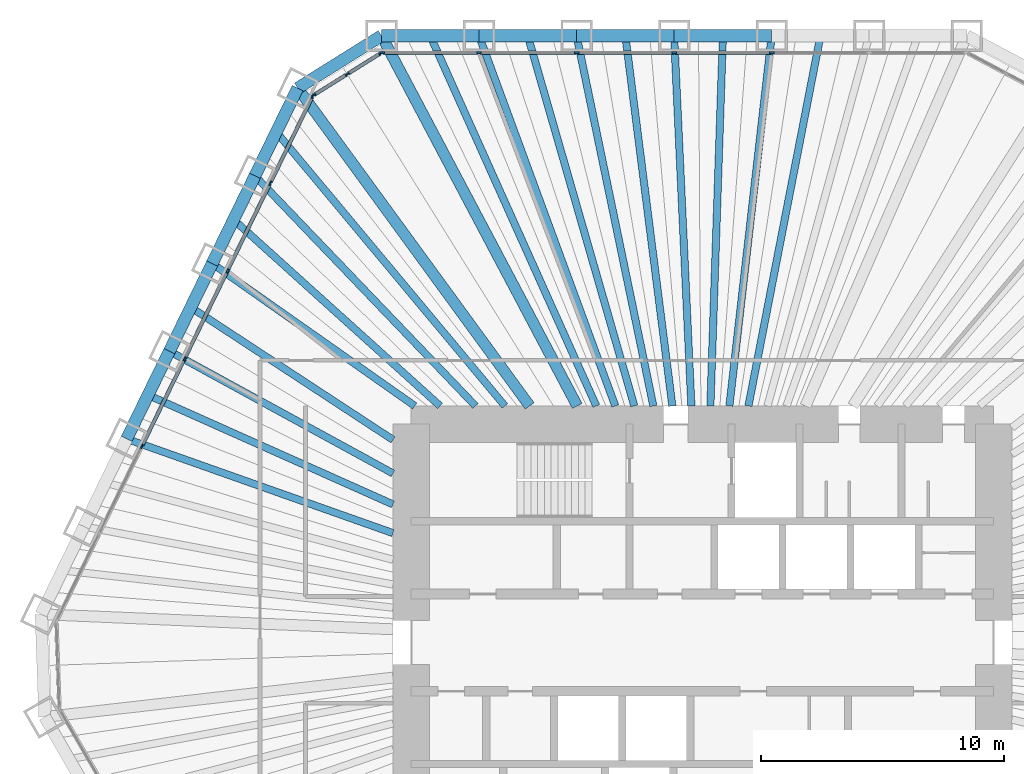
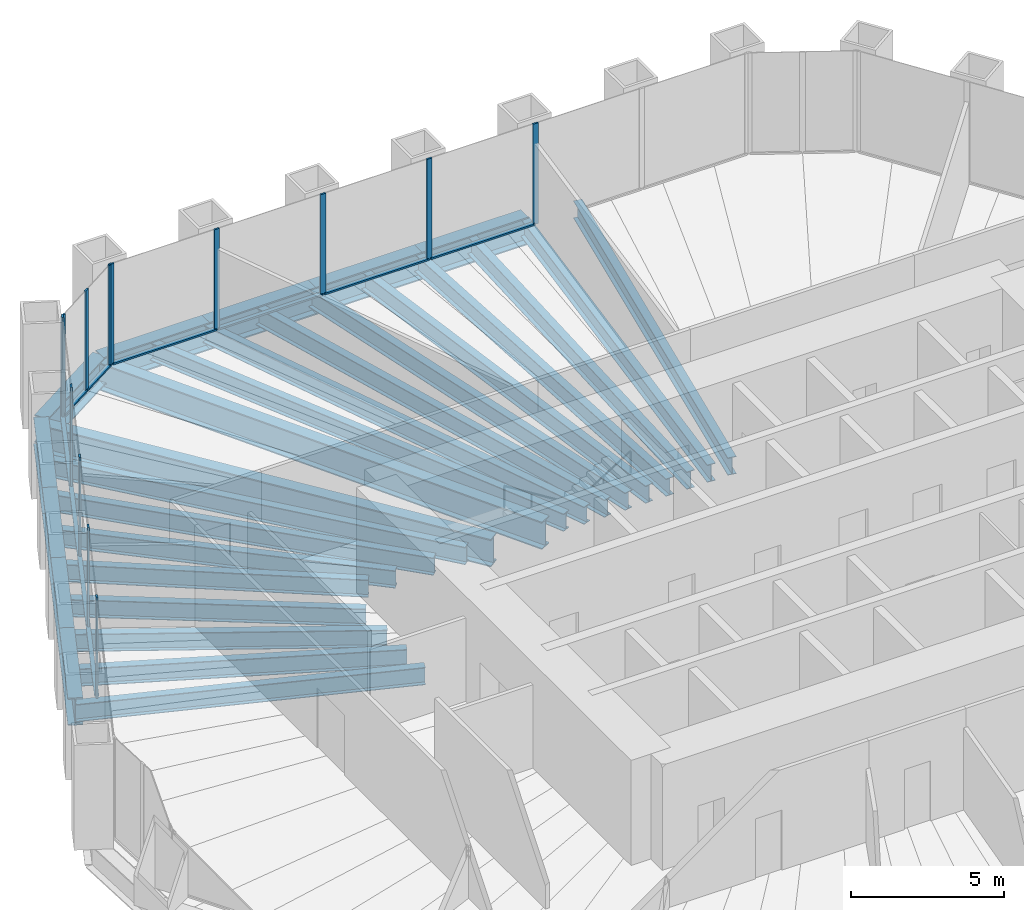
# One storey, part 6 of 13: 28 beams, 23 members, 3 elements without a shape of their own.
"""IFC4 building model written with IfcOpenShell, lengths in metres."""

from ifc_helpers import new_model, si_unit, direction, frame, origin, origin_2d, place, context, subcontext, project, spatial, rectangle, i_section, extrude, material, material_profile, profile_set, type_object, element, aggregate, save


model = new_model("IFC4")

# Units and contexts
model_context = context("Model", 3, precision=1e-05, world=origin(), true_north=direction((0.0, 1.0)))
body_context = subcontext(model_context, "Body", "Model", "MODEL_VIEW")
ifc_project = project(units=[si_unit("LENGTHUNIT", "METRE"), si_unit("AREAUNIT", "SQUARE_METRE"), si_unit("VOLUMEUNIT", "CUBIC_METRE"), si_unit("PLANEANGLEUNIT", "RADIAN"), si_unit("MASSUNIT", "GRAM", prefix="KILO")], contexts=[model_context])

# Site, building, storey
site_placement = place(None, origin())
site = spatial("IfcSite", under=ifc_project, at=site_placement, CompositionType="ELEMENT")
building_placement = place(site_placement, origin())
building = spatial("IfcBuilding", under=site, at=building_placement, Name="Qingtian Harvest Tower", CompositionType="ELEMENT")
storey_placement = place(building_placement, frame((0.0, 0.0, 161.800048828125)))
storey = spatial("IfcBuildingStorey", under=building, at=storey_placement, Name="L34", CompositionType="ELEMENT", Elevation=161.800048828125)

# Beams
ifc_material_1 = material(Name="Steel SM570MC", Category="steel")
ifc_material_profile_1 = material_profile(ifc_material_1, i_section(OverallWidth=0.449951171875, OverallDepth=1.10009765625, WebThickness=0.02197265625, FlangeThickness=0.044921875, at=origin_2d()), Name="H1100x450x22x45")
ifc_profile_set_1 = profile_set([ifc_material_profile_1], Name="Steel SM570MC")
beam_type_1 = type_object("IfcBeamType", Name="Corner floor beam FB8 H1100x450x22x45", PredefinedType="BEAM", material=ifc_profile_set_1)
beam_1_placement = place(storey_placement, frame((-13.2216796875, 25.0, -0.719970703125), z_axis=(0.46750989692, -0.88398783718, 0.0), x_axis=(0.88398783718, 0.46750989692, 0.0)))
element("IfcBeam", 1, at=beam_1_placement, inside=storey, type_object=beam_type_1, Name="Floor beam FB8 N0", PredefinedType="BEAM", context=body_context, shape_type="SweptSolid", body=[
    extrude(i_section(OverallWidth=0.449951171875, OverallDepth=1.10009765625, WebThickness=0.02197265625, FlangeThickness=0.044921875, at=origin_2d()), origin(), (0.0, 0.0, 1.0), 17.25146484375),
])
beam_2_placement = place(storey_placement, frame((-16.673828125, 22.8427734375, -0.719970703125), z_axis=(0.589577703364, -0.807711663712, 0.0), x_axis=(0.807711663712, 0.589577703364, 0.0)))
element("IfcBeam", 2, at=beam_2_placement, inside=storey, type_object=beam_type_1, Name="Floor beam FB8 NW6", PredefinedType="BEAM", context=body_context, shape_type="SweptSolid", body=[
    extrude(i_section(OverallWidth=0.449951171875, OverallDepth=1.10009765625, WebThickness=0.02197265625, FlangeThickness=0.044921875, at=origin_2d()), origin(), (0.0, 0.0, 1.0), 16.209716796875),
])
ifc_material_2 = material(Name="Steel SN490B", Category="steel")
ifc_material_profile_2 = material_profile(ifc_material_2, i_section(OverallWidth=0.300048828125, OverallDepth=0.699951171875, WebThickness=0.012939453125, FlangeThickness=0.02392578125, at=origin_2d()), Name="H700x300x13x24")
ifc_profile_set_2 = profile_set([ifc_material_profile_2], Name="Steel SN490B")
beam_type_2 = type_object("IfcBeamType", Name="Floor beam FB2 H700x300x13x24", PredefinedType="BEAM", material=ifc_profile_set_2)
beam_3_placement = place(storey_placement, frame((-9.20263671875, 25.0, -0.52001953125), z_axis=(0.345440084985, -0.938440806703, 0.0), x_axis=(0.938440806703, 0.345440084985, 0.0)))
element("IfcBeam", 3, at=beam_3_placement, inside=storey, type_object=beam_type_2, Name="Floor beam FB2 N1", PredefinedType="BEAM", context=body_context, shape_type="SweptSolid", body=[
    extrude(i_section(OverallWidth=0.300048828125, OverallDepth=0.699951171875, WebThickness=0.012939453125, FlangeThickness=0.02392578125, at=origin_2d()), origin(), (0.0, 0.0, 1.0), 16.250244140625),
])
beam_4_placement = place(storey_placement, frame((-5.18359375, 25.0, -0.52001953125), z_axis=(0.203032709566, -0.979171955709, 0.0), x_axis=(0.979171955709, 0.203032709566, 0.0)))
element("IfcBeam", 4, at=beam_4_placement, inside=storey, type_object=beam_type_2, Name="Floor beam FB2 N2", PredefinedType="BEAM", context=body_context, shape_type="SweptSolid", body=[
    extrude(i_section(OverallWidth=0.300048828125, OverallDepth=0.699951171875, WebThickness=0.012939453125, FlangeThickness=0.02392578125, at=origin_2d()), origin(), (0.0, 0.0, 1.0), 15.574462890625),
])
beam_5_placement = place(storey_placement, frame((-1.16455078125, 25.0, -0.52001953125), z_axis=(0.046536361684, -0.998916596639, 0.0), x_axis=(0.998916596639, 0.046536361684, 0.0)))
element("IfcBeam", 5, at=beam_5_placement, inside=storey, type_object=beam_type_2, Name="Floor beam FB2 N3", PredefinedType="BEAM", context=body_context, shape_type="SweptSolid", body=[
    extrude(i_section(OverallWidth=0.300048828125, OverallDepth=0.699951171875, WebThickness=0.012939453125, FlangeThickness=0.02392578125, at=origin_2d()), origin(), (0.0, 0.0, 1.0), 15.2666015625),
])
beam_6_placement = place(storey_placement, frame((2.8544921875, 25.0, -0.52001953125), z_axis=(-0.113440722222, -0.993544766249, 0.0), x_axis=(0.993544766249, -0.113440722222, 0.0)))
element("IfcBeam", 6, at=beam_6_placement, inside=storey, type_object=beam_type_2, Name="Floor beam FB2 N4", PredefinedType="BEAM", context=body_context, shape_type="SweptSolid", body=[
    extrude(i_section(OverallWidth=0.300048828125, OverallDepth=0.699951171875, WebThickness=0.012939453125, FlangeThickness=0.02392578125, at=origin_2d()), origin(), (0.0, 0.0, 1.0), 15.34912109375),
])
beam_7_placement = place(storey_placement, frame((-23.72119140625, 8.3935546875, -0.52001953125), z_axis=(0.942723186419, -0.333576068967, 0.0), x_axis=(0.333576068967, 0.942723186419, 0.0)))
element("IfcBeam", 7, at=beam_7_placement, inside=storey, type_object=beam_type_2, Name="Floor beam FB2 NW2", PredefinedType="BEAM", context=body_context, shape_type="SweptSolid", body=[
    extrude(i_section(OverallWidth=0.300048828125, OverallDepth=0.699951171875, WebThickness=0.012939453125, FlangeThickness=0.02392578125, at=origin_2d()), origin(), (0.0, 0.0, 1.0), 11.6376953125),
])
beam_8_placement = place(storey_placement, frame((-21.95947265625, 12.005859375, -0.52001953125), z_axis=(0.877432026785, -0.479700988505, 0.0), x_axis=(0.479700988505, 0.877432026785, 0.0)))
element("IfcBeam", 8, at=beam_8_placement, inside=storey, type_object=beam_type_2, Name="Floor beam FB2 NW3", PredefinedType="BEAM", context=body_context, shape_type="SweptSolid", body=[
    extrude(i_section(OverallWidth=0.300048828125, OverallDepth=0.699951171875, WebThickness=0.012939453125, FlangeThickness=0.02392578125, at=origin_2d()), origin(), (0.0, 0.0, 1.0), 10.495849609375),
])
beam_9_placement = place(storey_placement, frame((-20.197509765625, 15.6181640625, -0.52001953125), z_axis=(0.818080343043, -0.57510394915, 0.0), x_axis=(0.57510394915, 0.818080343043, 0.0)))
element("IfcBeam", 9, at=beam_9_placement, inside=storey, type_object=beam_type_2, Name="Floor beam FB2 NW4", PredefinedType="BEAM", context=body_context, shape_type="SweptSolid", body=[
    extrude(i_section(OverallWidth=0.300048828125, OverallDepth=0.699951171875, WebThickness=0.012939453125, FlangeThickness=0.02392578125, at=origin_2d()), origin(), (0.0, 0.0, 1.0), 10.20361328125),
])
beam_10_placement = place(storey_placement, frame((-18.435791015625, 19.23046875, -0.52001953125), z_axis=(0.69204101057, -0.721858185303, 0.0), x_axis=(0.721858185303, 0.69204101057, 0.0)))
element("IfcBeam", 10, at=beam_10_placement, inside=storey, type_object=beam_type_2, Name="Floor beam FB2 NW5", PredefinedType="BEAM", context=body_context, shape_type="SweptSolid", body=[
    extrude(i_section(OverallWidth=0.300048828125, OverallDepth=0.699951171875, WebThickness=0.012939453125, FlangeThickness=0.02392578125, at=origin_2d()), origin(), (0.0, 0.0, 1.0), 13.13330078125),
])
ifc_material_3 = material(Name="Steel SN490B", Category="steel")
ifc_material_profile_3 = material_profile(ifc_material_3, i_section(OverallWidth=0.300048828125, OverallDepth=0.699951171875, WebThickness=0.012939453125, FlangeThickness=0.02392578125, at=origin_2d()), Name="H700x300x13x24")
ifc_profile_set_3 = profile_set([ifc_material_profile_3], Name="Steel SN490B")
beam_type_3 = type_object("IfcBeamType", Name="Floor joist J2 H700x300x13x24", PredefinedType="JOIST", material=ifc_profile_set_3)
beam_11_placement = place(storey_placement, frame((-11.212158203125, 25.0, -0.52001953125), z_axis=(0.409212761683, -0.912438992852, 0.0), x_axis=(0.912438992852, 0.409212761683, 0.0)))
element("IfcBeam", 11, at=beam_11_placement, inside=storey, type_object=beam_type_3, Name="Floor joist J2 N0", PredefinedType="JOIST", context=body_context, shape_type="SweptSolid", body=[
    extrude(i_section(OverallWidth=0.300048828125, OverallDepth=0.699951171875, WebThickness=0.012939453125, FlangeThickness=0.02392578125, at=origin_2d()), origin(), (0.0, 0.0, 1.0), 16.71337890625),
])
beam_12_placement = place(storey_placement, frame((-7.193115234375, 25.0, -0.52001953125), z_axis=(0.276500682027, -0.961013721462, 0.0), x_axis=(0.961013721462, 0.276500682027, 0.0)))
element("IfcBeam", 12, at=beam_12_placement, inside=storey, type_object=beam_type_3, Name="Floor joist J2 N1", PredefinedType="JOIST", context=body_context, shape_type="SweptSolid", body=[
    extrude(i_section(OverallWidth=0.300048828125, OverallDepth=0.699951171875, WebThickness=0.012939453125, FlangeThickness=0.02392578125, at=origin_2d()), origin(), (0.0, 0.0, 1.0), 15.86865234375),
])
beam_13_placement = place(storey_placement, frame((-3.174072265625, 25.0, -0.52001953125), z_axis=(0.125957899702, -0.992035587821, 0.0), x_axis=(0.992035587821, 0.125957899702, 0.0)))
element("IfcBeam", 13, at=beam_13_placement, inside=storey, type_object=beam_type_3, Name="Floor joist J2 N2", PredefinedType="JOIST", context=body_context, shape_type="SweptSolid", body=[
    extrude(i_section(OverallWidth=0.300048828125, OverallDepth=0.699951171875, WebThickness=0.012939453125, FlangeThickness=0.02392578125, at=origin_2d()), origin(), (0.0, 0.0, 1.0), 15.372314453125),
])
beam_14_placement = place(storey_placement, frame((0.844970703125, 25.0, -0.52001953125), z_axis=(-0.033776183237, -0.999429421943, 0.0), x_axis=(0.999429421943, -0.033776183237, 0.0)))
element("IfcBeam", 14, at=beam_14_placement, inside=storey, type_object=beam_type_3, Name="Floor joist J2 N3", PredefinedType="JOIST", context=body_context, shape_type="SweptSolid", body=[
    extrude(i_section(OverallWidth=0.300048828125, OverallDepth=0.699951171875, WebThickness=0.012939453125, FlangeThickness=0.02392578125, at=origin_2d()), origin(), (0.0, 0.0, 1.0), 15.2587890625),
])
beam_15_placement = place(storey_placement, frame((4.864013671875, 25.0, -0.52001953125), z_axis=(-0.190979017217, -0.981594119269, 0.0), x_axis=(0.981594119269, -0.190979017217, 0.0)))
element("IfcBeam", 15, at=beam_15_placement, inside=storey, type_object=beam_type_3, Name="Floor joist J2 N4", PredefinedType="JOIST", context=body_context, shape_type="SweptSolid", body=[
    extrude(i_section(OverallWidth=0.300048828125, OverallDepth=0.699951171875, WebThickness=0.012939453125, FlangeThickness=0.02392578125, at=origin_2d()), origin(), (0.0, 0.0, 1.0), 15.535888671875),
])
beam_16_placement = place(storey_placement, frame((-22.84033203125, 10.19970703125, -0.52001953125), z_axis=(0.913095877166, -0.407744919162, 0.0), x_axis=(0.407744919162, 0.913095877166, 0.0)))
element("IfcBeam", 16, at=beam_16_placement, inside=storey, type_object=beam_type_3, Name="Floor joist J2 NW2", PredefinedType="JOIST", context=body_context, shape_type="SweptSolid", body=[
    extrude(i_section(OverallWidth=0.300048828125, OverallDepth=0.699951171875, WebThickness=0.012939453125, FlangeThickness=0.02392578125, at=origin_2d()), origin(), (0.0, 0.0, 1.0), 11.05078125),
])
beam_17_placement = place(storey_placement, frame((-21.078369140625, 13.81201171875, -0.52001953125), z_axis=(0.836426246046, -0.548079496903, 0.0), x_axis=(0.548079496903, 0.836426246046, 0.0)))
element("IfcBeam", 17, at=beam_17_placement, inside=storey, type_object=beam_type_3, Name="Floor joist J2 NW3", PredefinedType="JOIST", context=body_context, shape_type="SweptSolid", body=[
    extrude(i_section(OverallWidth=0.300048828125, OverallDepth=0.699951171875, WebThickness=0.012939453125, FlangeThickness=0.02392578125, at=origin_2d()), origin(), (0.0, 0.0, 1.0), 9.95703125),
])
beam_18_placement = place(storey_placement, frame((-19.316650390625, 17.42431640625, -0.52001953125), z_axis=(0.742543540775, -0.669797797886, 0.0), x_axis=(0.669797797886, 0.742543540775, 0.0)))
element("IfcBeam", 18, at=beam_18_placement, inside=storey, type_object=beam_type_3, Name="Floor joist J2 NW4", PredefinedType="JOIST", context=body_context, shape_type="SweptSolid", body=[
    extrude(i_section(OverallWidth=0.300048828125, OverallDepth=0.699951171875, WebThickness=0.012939453125, FlangeThickness=0.02392578125, at=origin_2d()), origin(), (0.0, 0.0, 1.0), 11.457763671875),
])
beam_19_placement = place(storey_placement, frame((-17.5546875, 21.03662109375, -0.52001953125), z_axis=(0.640703730007, -0.767788206704, 0.0), x_axis=(0.767788206704, 0.640703730007, 0.0)))
element("IfcBeam", 19, at=beam_19_placement, inside=storey, type_object=beam_type_3, Name="Floor joist J2 NW5", PredefinedType="JOIST", context=body_context, shape_type="SweptSolid", body=[
    extrude(i_section(OverallWidth=0.300048828125, OverallDepth=0.699951171875, WebThickness=0.012939453125, FlangeThickness=0.02392578125, at=origin_2d()), origin(), (0.0, 0.0, 1.0), 14.7001953125),
])

# Curtain wall, members
ifc_material_4 = material(Name="Bronze-anodised aluminium curtain wall", Category="aluminium")
curtain_wall_type = type_object("IfcCurtainWallType", Name="Curtain wall CW4 office", PredefinedType="USERDEFINED", material=ifc_material_4)
curtain_wall_1_placement = place(storey_placement, origin())
curtain_wall_1 = element("IfcCurtainWall", 20, at=curtain_wall_1_placement, inside=storey, type_object=curtain_wall_type, Name="Curtain wall CW4 L34 N0-5", ObjectType="RECESSED CURTAIN WALL", PredefinedType="USERDEFINED")
ifc_material_5 = material(Name="Bronze-anodised aluminium mullion", Category="aluminium")
ifc_material_profile_4 = material_profile(ifc_material_5, rectangle(XDim=0.06494140625, YDim=0.199951171875, at=origin_2d()), Name="AL 65x200")
ifc_profile_set_4 = profile_set([ifc_material_profile_4], Name="Bronze-anodised aluminium mullion")
member_type_1 = type_object("IfcMemberType", Name="Mullion CWM 65x200", PredefinedType="MULLION", material=ifc_profile_set_4)
member_1_placement = place(storey_placement, frame((-13.189208984375, 24.300048828125, 0.0), z_axis=(0.0, 0.0, 1.0), x_axis=(0.0, 1.0, 0.0)))
member_1 = element("IfcMember", 21, at=member_1_placement, type_object=member_type_1, Name="CW4 mullion 1", PredefinedType="MULLION", context=body_context, shape_type="SweptSolid", body=[
    extrude(rectangle(XDim=0.06494140625, YDim=0.199951171875, at=origin_2d()), origin(), (0.0, 0.0, 1.0), 4.030029296875),
])
member_2_placement = place(storey_placement, frame((-9.20263671875, 24.300048828125, 0.0), z_axis=(0.0, 0.0, 1.0), x_axis=(0.0, 1.0, 0.0)))
member_2 = element("IfcMember", 22, at=member_2_placement, type_object=member_type_1, Name="CW4 mullion 2", PredefinedType="MULLION", context=body_context, shape_type="SweptSolid", body=[
    extrude(rectangle(XDim=0.06494140625, YDim=0.199951171875, at=origin_2d()), origin(), (0.0, 0.0, 1.0), 4.030029296875),
])
member_3_placement = place(storey_placement, frame((-5.18359375, 24.300048828125, 0.0), z_axis=(0.0, 0.0, 1.0), x_axis=(0.0, 1.0, 0.0)))
member_3 = element("IfcMember", 23, at=member_3_placement, type_object=member_type_1, Name="CW4 mullion 3", PredefinedType="MULLION", context=body_context, shape_type="SweptSolid", body=[
    extrude(rectangle(XDim=0.06494140625, YDim=0.199951171875, at=origin_2d()), origin(), (0.0, 0.0, 1.0), 4.030029296875),
])
member_4_placement = place(storey_placement, frame((-1.16455078125, 24.300048828125, 0.0), z_axis=(0.0, 0.0, 1.0), x_axis=(0.0, 1.0, 0.0)))
member_4 = element("IfcMember", 24, at=member_4_placement, type_object=member_type_1, Name="CW4 mullion 4", PredefinedType="MULLION", context=body_context, shape_type="SweptSolid", body=[
    extrude(rectangle(XDim=0.06494140625, YDim=0.199951171875, at=origin_2d()), origin(), (0.0, 0.0, 1.0), 4.030029296875),
])
member_5_placement = place(storey_placement, frame((2.8544921875, 24.300048828125, 0.0), z_axis=(0.0, 0.0, 1.0), x_axis=(0.0, 1.0, 0.0)))
member_5 = element("IfcMember", 25, at=member_5_placement, type_object=member_type_1, Name="CW4 mullion 5", PredefinedType="MULLION", context=body_context, shape_type="SweptSolid", body=[
    extrude(rectangle(XDim=0.06494140625, YDim=0.199951171875, at=origin_2d()), origin(), (0.0, 0.0, 1.0), 4.030029296875),
])

curtain_wall_2_placement = place(storey_placement, origin())
curtain_wall_2 = element("IfcCurtainWall", 26, at=curtain_wall_2_placement, inside=storey, type_object=curtain_wall_type, Name="Curtain wall CW4 L34 NW0-5", ObjectType="RECESSED CURTAIN WALL", PredefinedType="USERDEFINED")
member_6_placement = place(storey_placement, frame((-23.092041015625, 8.086669921875, 0.0), z_axis=(0.0, 0.0, 1.0), x_axis=(-0.898794046299, 0.438371146789, 0.0)))
member_6 = element("IfcMember", 27, at=member_6_placement, type_object=member_type_1, Name="CW4 mullion 3", PredefinedType="MULLION", context=body_context, shape_type="SweptSolid", body=[
    extrude(rectangle(XDim=0.06494140625, YDim=0.199951171875, at=origin_2d()), origin(), (0.0, 0.0, 1.0), 4.030029296875),
])
member_7_placement = place(storey_placement, frame((-21.330322265625, 11.698974609375, 0.0), z_axis=(0.0, 0.0, 1.0), x_axis=(-0.898794046299, 0.438371146789, 0.0)))
member_7 = element("IfcMember", 28, at=member_7_placement, type_object=member_type_1, Name="CW4 mullion 4", PredefinedType="MULLION", context=body_context, shape_type="SweptSolid", body=[
    extrude(rectangle(XDim=0.06494140625, YDim=0.199951171875, at=origin_2d()), origin(), (0.0, 0.0, 1.0), 4.030029296875),
])
member_8_placement = place(storey_placement, frame((-19.568359375, 15.311279296875, 0.0), z_axis=(0.0, 0.0, 1.0), x_axis=(-0.898794046299, 0.438371146789, 0.0)))
member_8 = element("IfcMember", 29, at=member_8_placement, type_object=member_type_1, Name="CW4 mullion 5", PredefinedType="MULLION", context=body_context, shape_type="SweptSolid", body=[
    extrude(rectangle(XDim=0.06494140625, YDim=0.199951171875, at=origin_2d()), origin(), (0.0, 0.0, 1.0), 4.030029296875),
])
member_9_placement = place(storey_placement, frame((-17.806396484375, 18.923828125, 0.0), z_axis=(0.0, 0.0, 1.0), x_axis=(-0.898794046299, 0.438371146789, 0.0)))
member_9 = element("IfcMember", 30, at=member_9_placement, type_object=member_type_1, Name="CW4 mullion 6", PredefinedType="MULLION", context=body_context, shape_type="SweptSolid", body=[
    extrude(rectangle(XDim=0.06494140625, YDim=0.199951171875, at=origin_2d()), origin(), (0.0, 0.0, 1.0), 4.030029296875),
])
member_10_placement = place(storey_placement, frame((-16.058837890625, 22.5068359375, 0.0), z_axis=(0.0, 0.0, 1.0), x_axis=(-0.898794046299, 0.438371146789, 0.0)))
member_10 = element("IfcMember", 31, at=member_10_placement, type_object=member_type_1, Name="CW4 mullion 7", PredefinedType="MULLION", context=body_context, shape_type="SweptSolid", body=[
    extrude(rectangle(XDim=0.06494140625, YDim=0.199951171875, at=origin_2d()), origin(), (0.0, 0.0, 1.0), 4.030029296875),
])

curtain_wall_3_placement = place(storey_placement, origin())
curtain_wall_3 = element("IfcCurtainWall", 32, at=curtain_wall_3_placement, inside=storey, type_object=curtain_wall_type, Name="Curtain wall CW4 L34 NWC", ObjectType="RECESSED CURTAIN WALL", PredefinedType="USERDEFINED")
member_11_placement = place(storey_placement, frame((-16.01708984375, 22.55322265625, 0.0), z_axis=(0.0, 0.0, 1.0), x_axis=(-0.529919264233, 0.848048096156, 0.0)))
member_11 = element("IfcMember", 33, at=member_11_placement, type_object=member_type_1, Name="CW4 mullion 1", PredefinedType="MULLION", context=body_context, shape_type="SweptSolid", body=[
    extrude(rectangle(XDim=0.06494140625, YDim=0.199951171875, at=origin_2d()), origin(), (0.0, 0.0, 1.0), 4.030029296875),
])
member_12_placement = place(storey_placement, frame((-14.63330078125, 23.41796875, 0.0), z_axis=(0.0, 0.0, 1.0), x_axis=(-0.529919264233, 0.848048096156, 0.0)))
member_12 = element("IfcMember", 34, at=member_12_placement, type_object=member_type_1, Name="CW4 mullion 2", PredefinedType="MULLION", context=body_context, shape_type="SweptSolid", body=[
    extrude(rectangle(XDim=0.06494140625, YDim=0.199951171875, at=origin_2d()), origin(), (0.0, 0.0, 1.0), 4.030029296875),
])
member_13_placement = place(storey_placement, frame((-13.249267578125, 24.28271484375, 0.0), z_axis=(0.0, 0.0, 1.0), x_axis=(-0.529919264233, 0.848048096156, 0.0)))
member_13 = element("IfcMember", 35, at=member_13_placement, type_object=member_type_1, Name="CW4 mullion 3", PredefinedType="MULLION", context=body_context, shape_type="SweptSolid", body=[
    extrude(rectangle(XDim=0.06494140625, YDim=0.199951171875, at=origin_2d()), origin(), (0.0, 0.0, 1.0), 4.030029296875),
])

# Beams
ifc_material_6 = material(Name="Steel SM570MC", Category="steel")
ifc_material_profile_5 = material_profile(ifc_material_6, i_section(OverallWidth=0.5, OverallDepth=1.10009765625, WebThickness=0.02490234375, FlangeThickness=0.050048828125, at=origin_2d()), Name="H1100x500x25x50")
ifc_profile_set_5 = profile_set([ifc_material_profile_5], Name="Steel SM570MC")
beam_type_4 = type_object("IfcBeamType", Name="Spandrel beam SB2 H1100x500x25x50", PredefinedType="SPANDREL", material=ifc_profile_set_5)
for number, where, z_axis, x_axis, name in (
    (36, (-13.2216796875, 25.0, -0.550048828125), (1.0, 0.0, 0.0), (0.0, 1.0, 0.0), "Spandrel SB2 N0"),
    (37, (-9.20263671875, 25.0, -0.550048828125), (1.0, 0.0, 0.0), (0.0, 1.0, 0.0), "Spandrel SB2 N1"),
    (38, (-5.18359375, 25.0, -0.550048828125), (1.0, 0.0, 0.0), (0.0, 1.0, 0.0), "Spandrel SB2 N2"),
    (39, (-1.16455078125, 25.0, -0.550048828125), (1.0, 0.0, 0.0), (0.0, 1.0, 0.0), "Spandrel SB2 N3"),
    (40, (-23.72119140625, 8.3935546875, -0.550048828125), (0.438347033158, 0.898805806902, 0.0), (-0.898805806902, 0.438347033158, 0.0), "Spandrel SB2 NW2"),
    (41, (-21.95947265625, 12.005859375, -0.550048828125), (0.438396105405, 0.89878187274, 0.0), (-0.89878187274, 0.438396105405, 0.0), "Spandrel SB2 NW3"),
    (42, (-20.197509765625, 15.6181640625, -0.550048828125), (0.438347033158, 0.898805806902, 0.0), (-0.898805806902, 0.438347033158, 0.0), "Spandrel SB2 NW4"),
    (43, (-18.435791015625, 19.23046875, -0.550048828125), (0.438396105405, 0.89878187274, 0.0), (-0.89878187274, 0.438396105405, 0.0), "Spandrel SB2 NW5"),
):
    element("IfcBeam", number, at=place(storey_placement, frame(where, z_axis=z_axis, x_axis=x_axis)), inside=storey, type_object=beam_type_4, Name=name, PredefinedType="SPANDREL", context=body_context, shape_type="SweptSolid", body=[
        extrude(i_section(OverallWidth=0.5, OverallDepth=1.10009765625, WebThickness=0.02490234375, FlangeThickness=0.050048828125, at=origin_2d()), origin(), (0.0, 0.0, 1.0), 4.01904296875),
    ])
beam_20_placement = place(storey_placement, frame((-16.673828125, 22.8427734375, -0.550048828125), z_axis=(0.848038733752, 0.529934246919, 0.0), x_axis=(-0.529934246919, 0.848038733752, 0.0)))
element("IfcBeam", 44, at=beam_20_placement, inside=storey, type_object=beam_type_4, Name="Spandrel SB2 NWC", PredefinedType="SPANDREL", context=body_context, shape_type="SweptSolid", body=[
    extrude(i_section(OverallWidth=0.5, OverallDepth=1.10009765625, WebThickness=0.02490234375, FlangeThickness=0.050048828125, at=origin_2d()), origin(), (0.0, 0.0, 1.0), 4.07080078125),
])

# Member
ifc_material_7 = material(Name="Bronze-anodised aluminium transom", Category="aluminium")
ifc_material_profile_6 = material_profile(ifc_material_7, rectangle(XDim=0.14990234375, YDim=0.06494140625, at=origin_2d()), Name="AL 65x150")
ifc_profile_set_6 = profile_set([ifc_material_profile_6], Name="Bronze-anodised aluminium transom")
member_type_2 = type_object("IfcMemberType", Name="Transom CWT 65x150", PredefinedType="USERDEFINED", material=ifc_profile_set_6)
member_14_placement = place(storey_placement, frame((-13.15673828125, 24.300048828125, 0.032470703125), z_axis=(1.0, 0.0, 0.0), x_axis=(0.0, 1.0, 0.0)))
member_14 = element("IfcMember", 45, at=member_14_placement, type_object=member_type_2, Name="CW4 transom 1.1", ObjectType="TRANSOM", PredefinedType="USERDEFINED", context=body_context, shape_type="SweptSolid", body=[
    extrude(rectangle(XDim=0.14990234375, YDim=0.06494140625, at=origin_2d()), origin(), (0.0, 0.0, 1.0), 3.921630859375),
])

member_15_placement = place(storey_placement, frame((-9.170166015625, 24.300048828125, 0.032470703125), z_axis=(1.0, 0.0, 0.0), x_axis=(0.0, 1.0, 0.0)))
member_15 = element("IfcMember", 46, at=member_15_placement, type_object=member_type_2, Name="CW4 transom 2.1", ObjectType="TRANSOM", PredefinedType="USERDEFINED", context=body_context, shape_type="SweptSolid", body=[
    extrude(rectangle(XDim=0.14990234375, YDim=0.06494140625, at=origin_2d()), origin(), (0.0, 0.0, 1.0), 3.9541015625),
])

member_16_placement = place(storey_placement, frame((-5.151123046875, 24.300048828125, 0.032470703125), z_axis=(1.0, 0.0, 0.0), x_axis=(0.0, 1.0, 0.0)))
member_16 = element("IfcMember", 47, at=member_16_placement, type_object=member_type_2, Name="CW4 transom 3.1", ObjectType="TRANSOM", PredefinedType="USERDEFINED", context=body_context, shape_type="SweptSolid", body=[
    extrude(rectangle(XDim=0.14990234375, YDim=0.06494140625, at=origin_2d()), origin(), (0.0, 0.0, 1.0), 3.9541015625),
])

member_17_placement = place(storey_placement, frame((-1.132080078125, 24.300048828125, 0.032470703125), z_axis=(1.0, 0.0, 0.0), x_axis=(0.0, 1.0, 0.0)))
member_17 = element("IfcMember", 48, at=member_17_placement, type_object=member_type_2, Name="CW4 transom 4.1", ObjectType="TRANSOM", PredefinedType="USERDEFINED", context=body_context, shape_type="SweptSolid", body=[
    extrude(rectangle(XDim=0.14990234375, YDim=0.06494140625, at=origin_2d()), origin(), (0.0, 0.0, 1.0), 3.9541015625),
])

aggregate(curtain_wall_1, [member_1, member_2, member_3, member_4, member_5, member_14, member_15, member_16, member_17])

member_18_placement = place(storey_placement, frame((-23.077880859375, 8.115966796875, 0.032470703125), z_axis=(0.438374972828, 0.898792180205, 0.0), x_axis=(-0.898792180205, 0.438374972828, 0.0)))
member_18 = element("IfcMember", 49, at=member_18_placement, type_object=member_type_2, Name="CW4 transom 3.1", ObjectType="TRANSOM", PredefinedType="USERDEFINED", context=body_context, shape_type="SweptSolid", body=[
    extrude(rectangle(XDim=0.14990234375, YDim=0.06494140625, at=origin_2d()), origin(), (0.0, 0.0, 1.0), 3.9541015625),
])

member_19_placement = place(storey_placement, frame((-21.31591796875, 11.728271484375, 0.032470703125), z_axis=(0.438374972828, 0.898792180205, 0.0), x_axis=(-0.898792180205, 0.438374972828, 0.0)))
member_19 = element("IfcMember", 50, at=member_19_placement, type_object=member_type_2, Name="CW4 transom 4.1", ObjectType="TRANSOM", PredefinedType="USERDEFINED", context=body_context, shape_type="SweptSolid", body=[
    extrude(rectangle(XDim=0.14990234375, YDim=0.06494140625, at=origin_2d()), origin(), (0.0, 0.0, 1.0), 3.9541015625),
])

member_20_placement = place(storey_placement, frame((-19.55419921875, 15.340576171875, 0.032470703125), z_axis=(0.438374972828, 0.898792180205, 0.0), x_axis=(-0.898792180205, 0.438374972828, 0.0)))
member_20 = element("IfcMember", 51, at=member_20_placement, type_object=member_type_2, Name="CW4 transom 5.1", ObjectType="TRANSOM", PredefinedType="USERDEFINED", context=body_context, shape_type="SweptSolid", body=[
    extrude(rectangle(XDim=0.14990234375, YDim=0.06494140625, at=origin_2d()), origin(), (0.0, 0.0, 1.0), 3.9541015625),
])

member_21_placement = place(storey_placement, frame((-17.792236328125, 18.952880859375, 0.032470703125), z_axis=(0.438351261745, 0.898803744611, 0.0), x_axis=(-0.898803744611, 0.438351261745, 0.0)))
member_21 = element("IfcMember", 52, at=member_21_placement, type_object=member_type_2, Name="CW4 transom 6.1", ObjectType="TRANSOM", PredefinedType="USERDEFINED", context=body_context, shape_type="SweptSolid", body=[
    extrude(rectangle(XDim=0.14990234375, YDim=0.06494140625, at=origin_2d()), origin(), (0.0, 0.0, 1.0), 3.92138671875),
])

aggregate(curtain_wall_2, [member_6, member_7, member_8, member_9, member_10, member_18, member_19, member_20, member_21])

member_22_placement = place(storey_placement, frame((-15.989501953125, 22.570556640625, 0.032470703125), z_axis=(0.848059570903, 0.529900900357, 0.0), x_axis=(-0.529900900357, 0.848059570903, 0.0)))
member_22 = element("IfcMember", 53, at=member_22_placement, type_object=member_type_2, Name="CW4 transom 1.1", ObjectType="TRANSOM", PredefinedType="USERDEFINED", context=body_context, shape_type="SweptSolid", body=[
    extrude(rectangle(XDim=0.14990234375, YDim=0.06494140625, at=origin_2d()), origin(), (0.0, 0.0, 1.0), 1.56689453125),
])

member_23_placement = place(storey_placement, frame((-14.605712890625, 23.435302734375, 0.032470703125), z_axis=(0.848059570903, 0.529900900357, 0.0), x_axis=(-0.529900900357, 0.848059570903, 0.0)))
member_23 = element("IfcMember", 54, at=member_23_placement, type_object=member_type_2, Name="CW4 transom 2.1", ObjectType="TRANSOM", PredefinedType="USERDEFINED", context=body_context, shape_type="SweptSolid", body=[
    extrude(rectangle(XDim=0.14990234375, YDim=0.06494140625, at=origin_2d()), origin(), (0.0, 0.0, 1.0), 1.56689453125),
])

aggregate(curtain_wall_3, [member_11, member_12, member_13, member_22, member_23])

save(model, "model.ifc")
